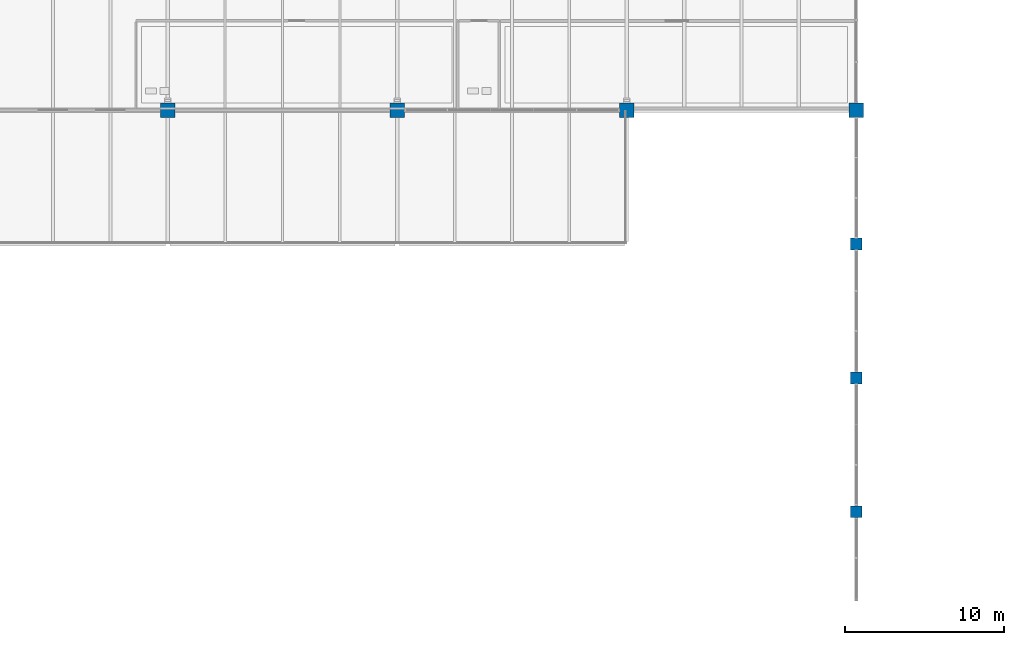
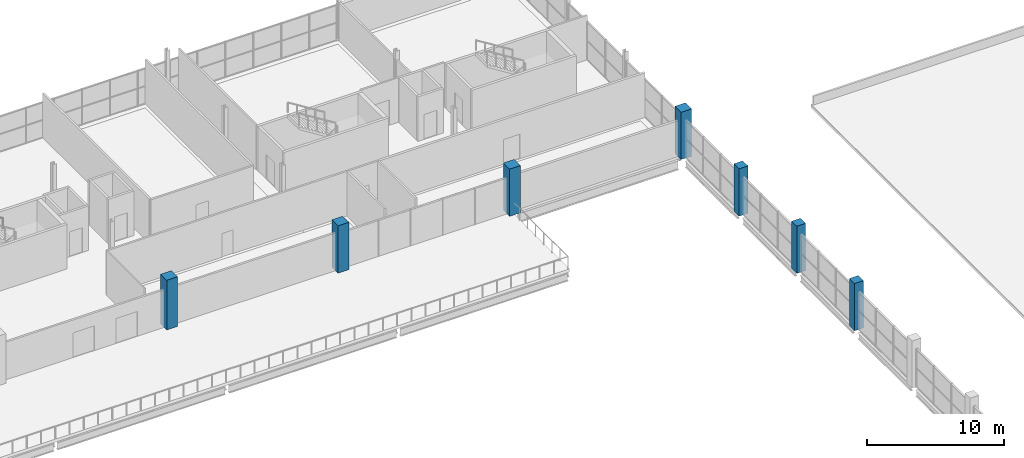
# One storey, part 6 of 93: 7 columns.
"""IFC4 building model written with IfcOpenShell, lengths in metres."""

from ifc_helpers import new_model, si_unit, direction, frame, origin, origin_2d, place, context, subcontext, project, spatial, rectangle, extrude, material, material_profile, profile_set, type_object, element, save


model = new_model("IFC4")

# Units and contexts
model_context = context("Model", 3, precision=1e-05, world=origin(), true_north=direction((0.0, 1.0)))
body_context = subcontext(model_context, "Body", "Model", "MODEL_VIEW")
ifc_project = project(units=[si_unit("LENGTHUNIT", "METRE"), si_unit("AREAUNIT", "SQUARE_METRE"), si_unit("VOLUMEUNIT", "CUBIC_METRE"), si_unit("PLANEANGLEUNIT", "RADIAN"), si_unit("MASSUNIT", "GRAM", prefix="KILO"), si_unit("THERMODYNAMICTEMPERATUREUNIT", "KELVIN")], contexts=[model_context])

# Site, building, storey
site_placement = place(None, origin())
site = spatial("IfcSite", under=ifc_project, at=site_placement, CompositionType="ELEMENT")
building_placement = place(site_placement, origin())
building = spatial("IfcBuilding", under=site, at=building_placement, Name="Nduvali Passage Aquatics Centre", CompositionType="ELEMENT")
storey_placement = place(building_placement, frame((0.0, 0.0, 9.0)))
storey = spatial("IfcBuildingStorey", under=building, at=storey_placement, Name="L02", CompositionType="ELEMENT", Elevation=9.0)

# Columns
ifc_material = material(Name="Concrete C40/50", Category="concrete")
ifc_material_profile_1 = material_profile(ifc_material, rectangle(XDim=0.75, YDim=0.75, at=origin_2d()), Name="RC 750x750")
ifc_profile_set_1 = profile_set([ifc_material_profile_1], Name="Concrete C40/50")
column_type_1 = type_object("IfcColumnType", Name="STR-COL-RC750-EXT", PredefinedType="COLUMN", material=ifc_profile_set_1)
for number, where, z_axis, x_axis, name in (
    (1, (126.0, 67.199951171875, 0.0), (0.0, 0.0, 1.0), (1.0, 0.0, 0.0), "L02 Column C2E (126.0, 67.2)"),
    (2, (126.0, 75.60009765625, 0.0), (0.0, 0.0, 1.0), (1.0, 0.0, 0.0), "L02 Column C2E (126.0, 75.6)"),
    (3, (126.0, 84.0, 0.0), (0.0, 0.0, 1.0), (1.0, 0.0, 0.0), "L02 Column C2E (126.0, 84.0)"),
):
    element("IfcColumn", number, at=place(storey_placement, frame(where, z_axis=z_axis, x_axis=x_axis)), inside=storey, type_object=column_type_1, Name=name, PredefinedType="COLUMN", context=body_context, shape_type="SweptSolid", body=[
        extrude(rectangle(XDim=0.75, YDim=0.75, at=origin_2d()), origin(), (0.0, 0.0, 1.0), 4.199951171875),
    ])
ifc_material_profile_2 = material_profile(ifc_material, rectangle(XDim=0.89990234375, YDim=0.89990234375, at=origin_2d()), Name="RC 900x900")
ifc_profile_set_2 = profile_set([ifc_material_profile_2], Name="Concrete C40/50")
column_type_2 = type_object("IfcColumnType", Name="STR-COL-RC900-EXT", PredefinedType="COLUMN", material=ifc_profile_set_2)
column_placement = place(storey_placement, frame((82.800048828125, 92.39990234375, 0.0), z_axis=(0.0, 0.0, 1.0), x_axis=(1.0, 0.0, 0.0)))
element("IfcColumn", 4, at=column_placement, inside=storey, type_object=column_type_2, Name="L02 Column C1E (82.8, 92.4)", PredefinedType="COLUMN", context=body_context, shape_type="SweptSolid", body=[
    extrude(rectangle(XDim=0.89990234375, YDim=0.89990234375, at=origin_2d()), origin(), (0.0, 0.0, 1.0), 4.402587890625),
])
for number, where, z_axis, x_axis, name in (
    (5, (97.199951171875, 92.39990234375, 0.0), (0.0, 0.0, 1.0), (1.0, 0.0, 0.0), "L02 Column C1E (97.2, 92.4)"),
    (6, (111.60009765625, 92.39990234375, 0.0), (0.0, 0.0, 1.0), (1.0, 0.0, 0.0), "L02 Column C1E (111.6, 92.4)"),
    (7, (126.0, 92.39990234375, 0.0), (0.0, 0.0, 1.0), (1.0, 0.0, 0.0), "L02 Column C1E (126.0, 92.4)"),
):
    element("IfcColumn", number, at=place(storey_placement, frame(where, z_axis=z_axis, x_axis=x_axis)), inside=storey, type_object=column_type_2, Name=name, PredefinedType="COLUMN", context=body_context, shape_type="SweptSolid", body=[
        extrude(rectangle(XDim=0.89990234375, YDim=0.89990234375, at=origin_2d()), origin(), (0.0, 0.0, 1.0), 4.199951171875),
    ])

save(model, "model.ifc")
